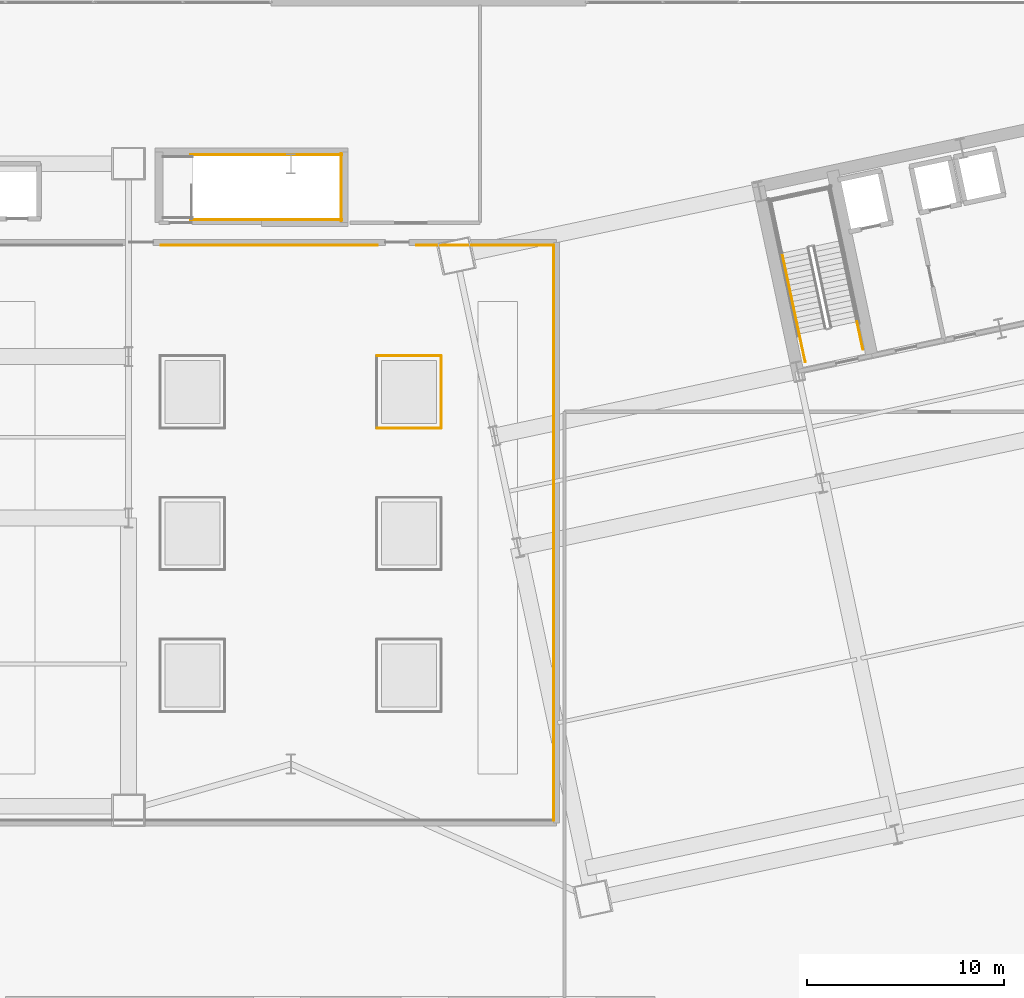
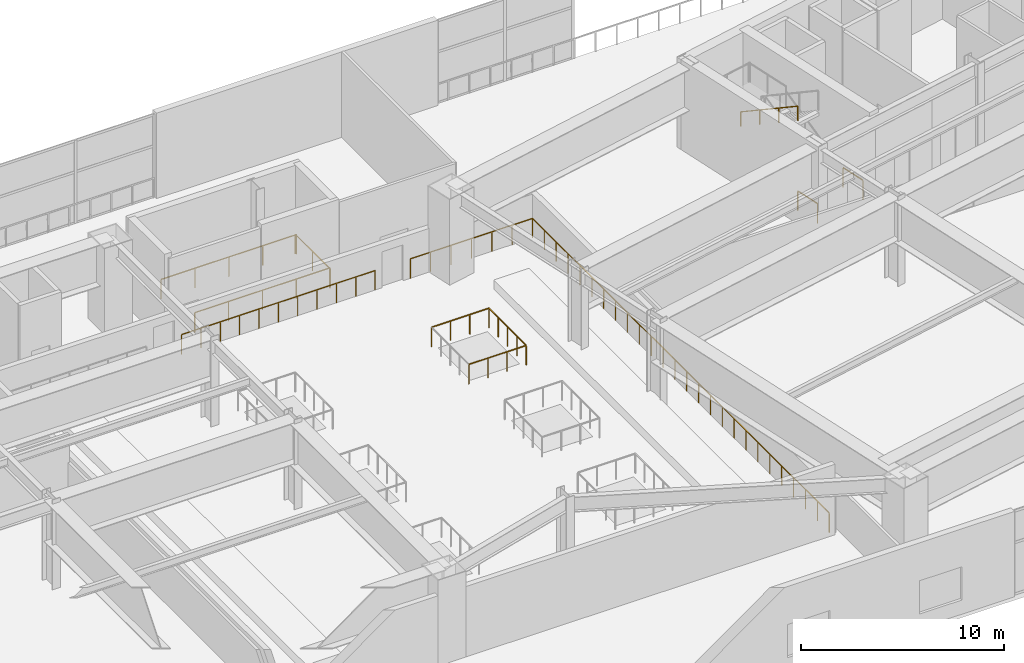
# One storey, part 25 of 29: 12 railings.
"""IFC4 building model written with IfcOpenShell, lengths in metres."""

from ifc_helpers import new_model, si_unit, direction, frame, origin, origin_2d, place, context, subcontext, project, spatial, rectangle, extrude, material, type_object, element, save


model = new_model("IFC4")

# Units and contexts
model_context = context("Model", 3, precision=1e-05, world=origin(), true_north=direction((0.0, 1.0)))
body_context = subcontext(model_context, "Body", "Model", "MODEL_VIEW")
ifc_project = project(units=[si_unit("LENGTHUNIT", "METRE"), si_unit("AREAUNIT", "SQUARE_METRE"), si_unit("VOLUMEUNIT", "CUBIC_METRE"), si_unit("PLANEANGLEUNIT", "RADIAN"), si_unit("MASSUNIT", "GRAM", prefix="KILO")], contexts=[model_context])

# Site, building, storey
site_placement = place(None, origin())
site = spatial("IfcSite", under=ifc_project, at=site_placement, CompositionType="ELEMENT")
building_placement = place(site_placement, origin())
building = spatial("IfcBuilding", under=site, at=building_placement, Name="Haevon Station Towers", CompositionType="ELEMENT")
storey_placement = place(building_placement, frame((0.0, 0.0, 25.199951171875)))
storey = spatial("IfcBuildingStorey", under=building, at=storey_placement, Name="L05", CompositionType="ELEMENT", Elevation=25.199951171875)

# Railings
ifc_material = material(Name="Steel S355", Category="steel")
railing_type_1 = type_object("IfcRailingType", Name="GRD-EXT1200", PredefinedType="GUARDRAIL", material=ifc_material)
railing_1_placement = place(storey_placement, frame((77.370361328125, 34.56005859375, 0.0)))
element("IfcRailing", 1, at=railing_1_placement, inside=storey, type_object=railing_type_1, Name="L05 Atrium Void Balustrade 1", PredefinedType="GUARDRAIL", context=body_context, shape_type="SweptSolid", body=[
    extrude(rectangle(XDim=0.048095703125, YDim=0.048095703125, at=origin_2d()), frame((0.0, 0.0, 1.17578125), z_axis=(1.0, 0.0, 0.0), x_axis=(0.0, 1.0, 0.0)), (0.0, 0.0, 1.0), 3.25927734375),
    extrude(rectangle(XDim=0.0419921875, YDim=0.0419921875, at=origin_2d()), origin(), (0.0, 0.0, 1.0), 1.15185546875),
    extrude(rectangle(XDim=0.0419921875, YDim=0.0419921875, at=origin_2d()), frame((1.08642578125, 0.0, 0.0)), (0.0, 0.0, 1.0), 1.15185546875),
    extrude(rectangle(XDim=0.0419921875, YDim=0.0419921875, at=origin_2d()), frame((2.1728515625, 0.0, 0.0)), (0.0, 0.0, 1.0), 1.15185546875),
    extrude(rectangle(XDim=0.0419921875, YDim=0.0419921875, at=origin_2d()), frame((3.25927734375, 0.0, 0.0)), (0.0, 0.0, 1.0), 1.15185546875),
])
railing_2_placement = place(storey_placement, frame((80.629638671875, 34.56005859375, 0.0)))
element("IfcRailing", 2, at=railing_2_placement, inside=storey, type_object=railing_type_1, Name="L05 Atrium Void Balustrade 2", PredefinedType="GUARDRAIL", context=body_context, shape_type="SweptSolid", body=[
    extrude(rectangle(XDim=0.048095703125, YDim=0.048095703125, at=origin_2d()), frame((0.0, 0.0, 1.17578125), z_axis=(0.0, 1.0, 0.0), x_axis=(-1.0, 0.0, 0.0)), (0.0, 0.0, 1.0), 3.6796875),
    extrude(rectangle(XDim=0.0419921875, YDim=0.0419921875, at=origin_2d()), origin(), (0.0, 0.0, 1.0), 1.15185546875),
    extrude(rectangle(XDim=0.0419921875, YDim=0.0419921875, at=origin_2d()), frame((0.0, 0.919921875, 0.0)), (0.0, 0.0, 1.0), 1.15185546875),
    extrude(rectangle(XDim=0.0419921875, YDim=0.0419921875, at=origin_2d()), frame((0.0, 1.83984375, 0.0)), (0.0, 0.0, 1.0), 1.15185546875),
    extrude(rectangle(XDim=0.0419921875, YDim=0.0419921875, at=origin_2d()), frame((0.0, 2.759765625, 0.0)), (0.0, 0.0, 1.0), 1.15185546875),
    extrude(rectangle(XDim=0.0419921875, YDim=0.0419921875, at=origin_2d()), frame((0.0, 3.6796875, 0.0)), (0.0, 0.0, 1.0), 1.15185546875),
])
railing_3_placement = place(storey_placement, frame((80.629638671875, 38.23974609375, 0.0)))
element("IfcRailing", 3, at=railing_3_placement, inside=storey, type_object=railing_type_1, Name="L05 Atrium Void Balustrade 3", PredefinedType="GUARDRAIL", context=body_context, shape_type="SweptSolid", body=[
    extrude(rectangle(XDim=0.048095703125, YDim=0.048095703125, at=origin_2d()), frame((0.0, 0.0, 1.17578125), z_axis=(-1.0, 0.0, 0.0), x_axis=(0.0, -1.0, 0.0)), (0.0, 0.0, 1.0), 3.25927734375),
    extrude(rectangle(XDim=0.0419921875, YDim=0.0419921875, at=origin_2d()), origin(), (0.0, 0.0, 1.0), 1.15185546875),
    extrude(rectangle(XDim=0.0419921875, YDim=0.0419921875, at=origin_2d()), frame((-1.08642578125, 0.0, 0.0)), (0.0, 0.0, 1.0), 1.15185546875),
    extrude(rectangle(XDim=0.0419921875, YDim=0.0419921875, at=origin_2d()), frame((-2.1728515625, 0.0, 0.0)), (0.0, 0.0, 1.0), 1.15185546875),
    extrude(rectangle(XDim=0.0419921875, YDim=0.0419921875, at=origin_2d()), frame((-3.25927734375, 0.0, 0.0)), (0.0, 0.0, 1.0), 1.15185546875),
])
railing_4_placement = place(storey_placement, frame((86.35009765625, 14.64990234375, 0.0)))
element("IfcRailing", 4, at=railing_4_placement, inside=storey, type_object=railing_type_1, Name="L05 Podium Roof Garden Guardrail 2", PredefinedType="GUARDRAIL", context=body_context, shape_type="SweptSolid", body=[
    extrude(rectangle(XDim=0.048095703125, YDim=0.048095703125, at=origin_2d()), frame((0.0, 0.0, 1.17578125), z_axis=(0.0, 1.0, 0.0), x_axis=(-1.0, 0.0, 0.0)), (0.0, 0.0, 1.0), 29.2001953125),
    extrude(rectangle(XDim=0.0419921875, YDim=0.0419921875, at=origin_2d()), origin(), (0.0, 0.0, 1.0), 1.15185546875),
    extrude(rectangle(XDim=0.0419921875, YDim=0.0419921875, at=origin_2d()), frame((0.0, 1.16796875, 0.0)), (0.0, 0.0, 1.0), 1.15185546875),
    extrude(rectangle(XDim=0.0419921875, YDim=0.0419921875, at=origin_2d()), frame((0.0, 2.3359375, 0.0)), (0.0, 0.0, 1.0), 1.15185546875),
    extrude(rectangle(XDim=0.0419921875, YDim=0.0419921875, at=origin_2d()), frame((0.0, 3.50390625, 0.0)), (0.0, 0.0, 1.0), 1.15185546875),
    extrude(rectangle(XDim=0.0419921875, YDim=0.0419921875, at=origin_2d()), frame((0.0, 4.672119140625, 0.0)), (0.0, 0.0, 1.0), 1.15185546875),
    extrude(rectangle(XDim=0.0419921875, YDim=0.0419921875, at=origin_2d()), frame((0.0, 5.840087890625, 0.0)), (0.0, 0.0, 1.0), 1.15185546875),
    extrude(rectangle(XDim=0.0419921875, YDim=0.0419921875, at=origin_2d()), frame((0.0, 7.008056640625, 0.0)), (0.0, 0.0, 1.0), 1.15185546875),
    extrude(rectangle(XDim=0.0419921875, YDim=0.0419921875, at=origin_2d()), frame((0.0, 8.176025390625, 0.0)), (0.0, 0.0, 1.0), 1.15185546875),
    extrude(rectangle(XDim=0.0419921875, YDim=0.0419921875, at=origin_2d()), frame((0.0, 9.343994140625, 0.0)), (0.0, 0.0, 1.0), 1.15185546875),
    extrude(rectangle(XDim=0.0419921875, YDim=0.0419921875, at=origin_2d()), frame((0.0, 10.511962890625, 0.0)), (0.0, 0.0, 1.0), 1.15185546875),
    extrude(rectangle(XDim=0.0419921875, YDim=0.0419921875, at=origin_2d()), frame((0.0, 11.68017578125, 0.0)), (0.0, 0.0, 1.0), 1.15185546875),
    extrude(rectangle(XDim=0.0419921875, YDim=0.0419921875, at=origin_2d()), frame((0.0, 12.84814453125, 0.0)), (0.0, 0.0, 1.0), 1.15185546875),
    extrude(rectangle(XDim=0.0419921875, YDim=0.0419921875, at=origin_2d()), frame((0.0, 14.01611328125, 0.0)), (0.0, 0.0, 1.0), 1.15185546875),
    extrude(rectangle(XDim=0.0419921875, YDim=0.0419921875, at=origin_2d()), frame((0.0, 15.18408203125, 0.0)), (0.0, 0.0, 1.0), 1.15185546875),
    extrude(rectangle(XDim=0.0419921875, YDim=0.0419921875, at=origin_2d()), frame((0.0, 16.35205078125, 0.0)), (0.0, 0.0, 1.0), 1.15185546875),
    extrude(rectangle(XDim=0.0419921875, YDim=0.0419921875, at=origin_2d()), frame((0.0, 17.52001953125, 0.0)), (0.0, 0.0, 1.0), 1.15185546875),
    extrude(rectangle(XDim=0.0419921875, YDim=0.0419921875, at=origin_2d()), frame((0.0, 18.688232421875, 0.0)), (0.0, 0.0, 1.0), 1.15185546875),
    extrude(rectangle(XDim=0.0419921875, YDim=0.0419921875, at=origin_2d()), frame((0.0, 19.856201171875, 0.0)), (0.0, 0.0, 1.0), 1.15185546875),
    extrude(rectangle(XDim=0.0419921875, YDim=0.0419921875, at=origin_2d()), frame((0.0, 21.024169921875, 0.0)), (0.0, 0.0, 1.0), 1.15185546875),
    extrude(rectangle(XDim=0.0419921875, YDim=0.0419921875, at=origin_2d()), frame((0.0, 22.192138671875, 0.0)), (0.0, 0.0, 1.0), 1.15185546875),
    extrude(rectangle(XDim=0.0419921875, YDim=0.0419921875, at=origin_2d()), frame((0.0, 23.360107421875, 0.0)), (0.0, 0.0, 1.0), 1.15185546875),
    extrude(rectangle(XDim=0.0419921875, YDim=0.0419921875, at=origin_2d()), frame((0.0, 24.528076171875, 0.0)), (0.0, 0.0, 1.0), 1.15185546875),
    extrude(rectangle(XDim=0.0419921875, YDim=0.0419921875, at=origin_2d()), frame((0.0, 25.6962890625, 0.0)), (0.0, 0.0, 1.0), 1.15185546875),
    extrude(rectangle(XDim=0.0419921875, YDim=0.0419921875, at=origin_2d()), frame((0.0, 26.8642578125, 0.0)), (0.0, 0.0, 1.0), 1.15185546875),
    extrude(rectangle(XDim=0.0419921875, YDim=0.0419921875, at=origin_2d()), frame((0.0, 28.0322265625, 0.0)), (0.0, 0.0, 1.0), 1.15185546875),
    extrude(rectangle(XDim=0.0419921875, YDim=0.0419921875, at=origin_2d()), frame((0.0, 29.2001953125, 0.0)), (0.0, 0.0, 1.0), 1.15185546875),
])
railing_5_placement = place(storey_placement, frame((86.35009765625, 43.85009765625, 0.0)))
element("IfcRailing", 5, at=railing_5_placement, inside=storey, type_object=railing_type_1, Name="L05 Podium Roof Garden Guardrail 3", PredefinedType="GUARDRAIL", context=body_context, shape_type="SweptSolid", body=[
    extrude(rectangle(XDim=0.048095703125, YDim=0.048095703125, at=origin_2d()), frame((0.0, 0.0, 1.17578125), z_axis=(-1.0, 0.0, 0.0), x_axis=(0.0, -1.0, 0.0)), (0.0, 0.0, 1.0), 6.9501953125),
    extrude(rectangle(XDim=0.0419921875, YDim=0.0419921875, at=origin_2d()), origin(), (0.0, 0.0, 1.0), 1.15185546875),
    extrude(rectangle(XDim=0.0419921875, YDim=0.0419921875, at=origin_2d()), frame((-1.158447265625, 0.0, 0.0)), (0.0, 0.0, 1.0), 1.15185546875),
    extrude(rectangle(XDim=0.0419921875, YDim=0.0419921875, at=origin_2d()), frame((-2.316650390625, 0.0, 0.0)), (0.0, 0.0, 1.0), 1.15185546875),
    extrude(rectangle(XDim=0.0419921875, YDim=0.0419921875, at=origin_2d()), frame((-3.47509765625, 0.0, 0.0)), (0.0, 0.0, 1.0), 1.15185546875),
    extrude(rectangle(XDim=0.0419921875, YDim=0.0419921875, at=origin_2d()), frame((-4.633544921875, 0.0, 0.0)), (0.0, 0.0, 1.0), 1.15185546875),
    extrude(rectangle(XDim=0.0419921875, YDim=0.0419921875, at=origin_2d()), frame((-5.791748046875, 0.0, 0.0)), (0.0, 0.0, 1.0), 1.15185546875),
    extrude(rectangle(XDim=0.0419921875, YDim=0.0419921875, at=origin_2d()), frame((-6.9501953125, 0.0, 0.0)), (0.0, 0.0, 1.0), 1.15185546875),
])
railing_6_placement = place(storey_placement, frame((77.39990234375, 43.85009765625, 0.0)))
element("IfcRailing", 6, at=railing_6_placement, inside=storey, type_object=railing_type_1, Name="L05 Podium Roof Garden Guardrail 4", PredefinedType="GUARDRAIL", context=body_context, shape_type="SweptSolid", body=[
    extrude(rectangle(XDim=0.048095703125, YDim=0.048095703125, at=origin_2d()), frame((0.0, 0.0, 1.17578125), z_axis=(-1.0, 0.0, 0.0), x_axis=(0.0, -1.0, 0.0)), (0.0, 0.0, 1.0), 11.0),
    extrude(rectangle(XDim=0.0419921875, YDim=0.0419921875, at=origin_2d()), origin(), (0.0, 0.0, 1.0), 1.15185546875),
    extrude(rectangle(XDim=0.0419921875, YDim=0.0419921875, at=origin_2d()), frame((-1.10009765625, 0.0, 0.0)), (0.0, 0.0, 1.0), 1.15185546875),
    extrude(rectangle(XDim=0.0419921875, YDim=0.0419921875, at=origin_2d()), frame((-2.199951171875, 0.0, 0.0)), (0.0, 0.0, 1.0), 1.15185546875),
    extrude(rectangle(XDim=0.0419921875, YDim=0.0419921875, at=origin_2d()), frame((-3.300048828125, 0.0, 0.0)), (0.0, 0.0, 1.0), 1.15185546875),
    extrude(rectangle(XDim=0.0419921875, YDim=0.0419921875, at=origin_2d()), frame((-4.39990234375, 0.0, 0.0)), (0.0, 0.0, 1.0), 1.15185546875),
    extrude(rectangle(XDim=0.0419921875, YDim=0.0419921875, at=origin_2d()), frame((-5.5, 0.0, 0.0)), (0.0, 0.0, 1.0), 1.15185546875),
    extrude(rectangle(XDim=0.0419921875, YDim=0.0419921875, at=origin_2d()), frame((-6.60009765625, 0.0, 0.0)), (0.0, 0.0, 1.0), 1.15185546875),
    extrude(rectangle(XDim=0.0419921875, YDim=0.0419921875, at=origin_2d()), frame((-7.699951171875, 0.0, 0.0)), (0.0, 0.0, 1.0), 1.15185546875),
    extrude(rectangle(XDim=0.0419921875, YDim=0.0419921875, at=origin_2d()), frame((-8.800048828125, 0.0, 0.0)), (0.0, 0.0, 1.0), 1.15185546875),
    extrude(rectangle(XDim=0.0419921875, YDim=0.0419921875, at=origin_2d()), frame((-9.89990234375, 0.0, 0.0)), (0.0, 0.0, 1.0), 1.15185546875),
    extrude(rectangle(XDim=0.0419921875, YDim=0.0419921875, at=origin_2d()), frame((-11.0, 0.0, 0.0)), (0.0, 0.0, 1.0), 1.15185546875),
])
railing_type_2 = type_object("IfcRailingType", Name="GRD-STR1200", PredefinedType="GUARDRAIL", material=ifc_material)
for number, where, name in (
    (7, (102.0634765625, 38.55517578125, 0.0), "L05 ST3 Stair Guard 8"),
    (8, (99.12890625, 37.931396484375, 0.0), "L05 ST3 Stair Guard 9"),
):
    element("IfcRailing", number, at=place(storey_placement, frame(where)), inside=storey, type_object=railing_type_2, Name=name, PredefinedType="GUARDRAIL", context=body_context, shape_type="SweptSolid", body=[
        extrude(rectangle(XDim=0.048095703125, YDim=0.048095703125, at=origin_2d()), frame((0.0, 0.0, 1.17578125), z_axis=(-0.207953405961, 0.978138732977, 0.0), x_axis=(-0.978138732977, -0.207953405961, 0.0)), (0.0, 0.0, 1.0), 1.449951171875),
        extrude(rectangle(XDim=0.0419921875, YDim=0.0419921875, at=origin_2d()), origin(), (0.0, 0.0, 1.0), 1.15185546875),
        extrude(rectangle(XDim=0.0419921875, YDim=0.0419921875, at=origin_2d()), frame((-0.301513671875, 1.418212890625, 0.0)), (0.0, 0.0, 1.0), 1.15185546875),
    ])
for number, where, name in (
    (9, (67.89990234375, 45.14990234375, 0.0), "L05 ST6 Top Well Guard 2"),
    (10, (67.89990234375, 48.449951171875, 0.0), "L05 ST6 Top Well Guard 3"),
):
    element("IfcRailing", number, at=place(storey_placement, frame(where)), inside=storey, type_object=railing_type_2, Name=name, PredefinedType="GUARDRAIL", context=body_context, shape_type="SweptSolid", body=[
        extrude(rectangle(XDim=0.048095703125, YDim=0.048095703125, at=origin_2d()), frame((0.0, 0.0, 1.17578125), z_axis=(1.0, 0.0, 0.0), x_axis=(0.0, 1.0, 0.0)), (0.0, 0.0, 1.0), 7.7001953125),
        extrude(rectangle(XDim=0.0419921875, YDim=0.0419921875, at=origin_2d()), origin(), (0.0, 0.0, 1.0), 1.15185546875),
        extrude(rectangle(XDim=0.0419921875, YDim=0.0419921875, at=origin_2d()), frame((1.925048828125, 0.0, 0.0)), (0.0, 0.0, 1.0), 1.15185546875),
        extrude(rectangle(XDim=0.0419921875, YDim=0.0419921875, at=origin_2d()), frame((3.85009765625, 0.0, 0.0)), (0.0, 0.0, 1.0), 1.15185546875),
        extrude(rectangle(XDim=0.0419921875, YDim=0.0419921875, at=origin_2d()), frame((5.775146484375, 0.0, 0.0)), (0.0, 0.0, 1.0), 1.15185546875),
        extrude(rectangle(XDim=0.0419921875, YDim=0.0419921875, at=origin_2d()), frame((7.7001953125, 0.0, 0.0)), (0.0, 0.0, 1.0), 1.15185546875),
    ])
railing_7_placement = place(storey_placement, frame((75.550048828125, 45.10009765625, 0.0)))
element("IfcRailing", 11, at=railing_7_placement, inside=storey, type_object=railing_type_2, Name="L05 ST6 Top Well Guard 4", PredefinedType="GUARDRAIL", context=body_context, shape_type="SweptSolid", body=[
    extrude(rectangle(XDim=0.048095703125, YDim=0.048095703125, at=origin_2d()), frame((0.0, 0.0, 1.17578125), z_axis=(0.0, 1.0, 0.0), x_axis=(-1.0, 0.0, 0.0)), (0.0, 0.0, 1.0), 3.39990234375),
    extrude(rectangle(XDim=0.0419921875, YDim=0.0419921875, at=origin_2d()), origin(), (0.0, 0.0, 1.0), 1.15185546875),
    extrude(rectangle(XDim=0.0419921875, YDim=0.0419921875, at=origin_2d()), frame((0.0, 1.699951171875, 0.0)), (0.0, 0.0, 1.0), 1.15185546875),
    extrude(rectangle(XDim=0.0419921875, YDim=0.0419921875, at=origin_2d()), frame((0.0, 3.39990234375, 0.0)), (0.0, 0.0, 1.0), 1.15185546875),
])
railing_type_3 = type_object("IfcRailingType", Name="HND-STR900", PredefinedType="HANDRAIL", material=ifc_material)
railing_8_placement = place(storey_placement, frame((97.9541015625, 43.4580078125, 2.868896484375)))
element("IfcRailing", 12, at=railing_8_placement, inside=storey, type_object=railing_type_3, Name="L05 ST3 Stair Handrail 2", PredefinedType="HANDRAIL", context=body_context, shape_type="SweptSolid", body=[
    extrude(rectangle(XDim=0.048095703125, YDim=0.048095703125, at=origin_2d()), frame((0.0, 0.0, 0.8759765625), z_axis=(0.178078821748, -0.83777199116, 0.516164725716), x_axis=(0.978146440129, 0.207917150959, 0.0)), (0.0, 0.0, 1.0), 4.904052734375),
    extrude(rectangle(XDim=0.0419921875, YDim=0.0419921875, at=origin_2d()), origin(), (0.0, 0.0, 1.0), 0.851806640625),
    extrude(rectangle(XDim=0.0419921875, YDim=0.0419921875, at=origin_2d()), frame((0.291015625, -1.369384765625, 0.84375)), (0.0, 0.0, 1.0), 0.851806640625),
    extrude(rectangle(XDim=0.0419921875, YDim=0.0419921875, at=origin_2d()), frame((0.582275390625, -2.739013671875, 1.6875)), (0.0, 0.0, 1.0), 0.851806640625),
    extrude(rectangle(XDim=0.0419921875, YDim=0.0419921875, at=origin_2d()), frame((0.873291015625, -4.1083984375, 2.53125)), (0.0, 0.0, 1.0), 0.851806640625),
])

save(model, "model.ifc")
